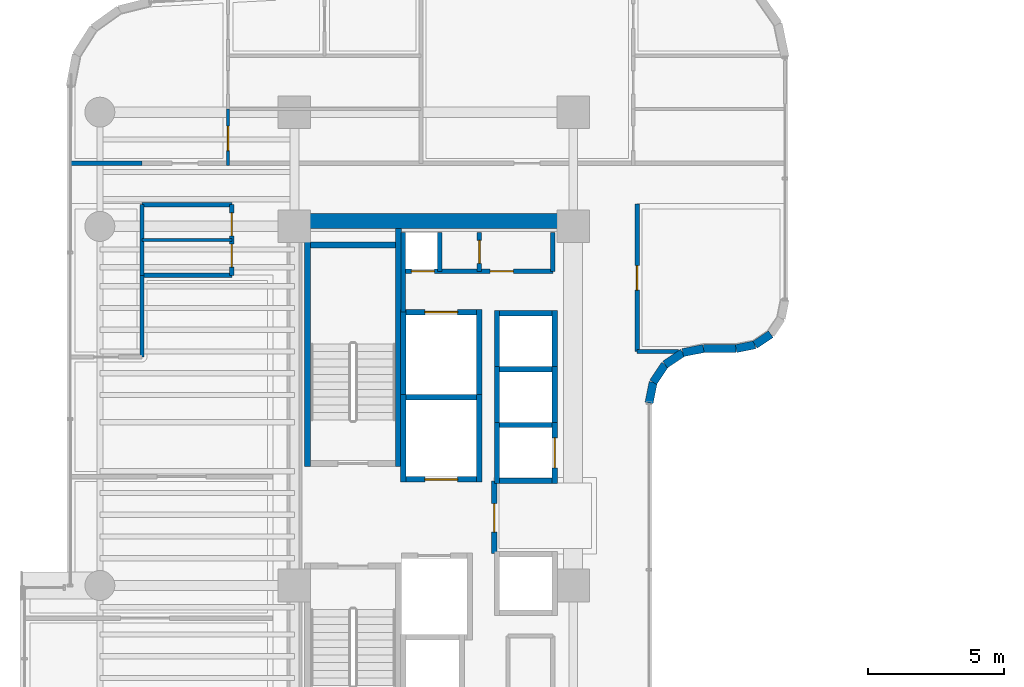
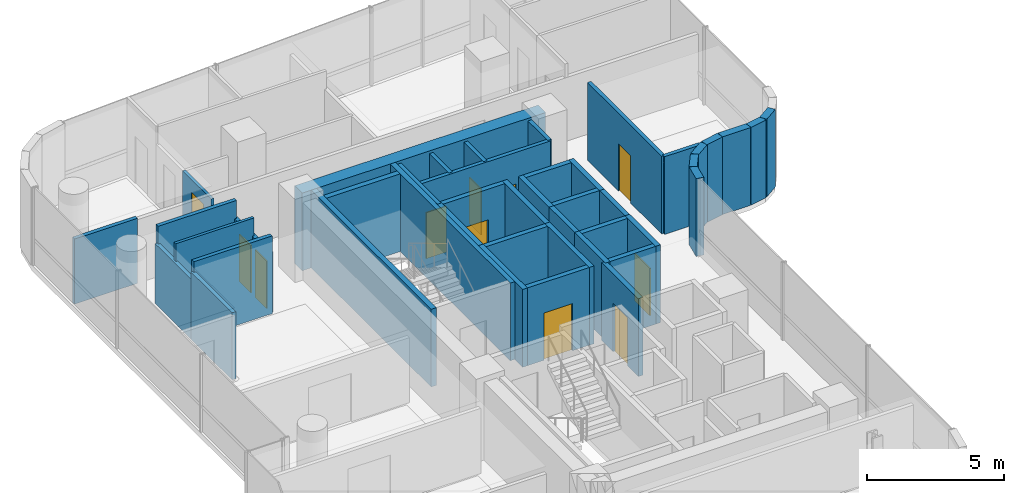
# One storey, part 27 of 34: 44 walls, 11 doors, 11 openings.
"""IFC4 building model written with IfcOpenShell, lengths in metres."""

from ifc_helpers import new_model, si_unit, direction, frame, frame_2d, origin, place, context, subcontext, project, spatial, rectangle, extrude, material, layer, layer_set, type_object, element, fill, save


model = new_model("IFC4")

# Units and contexts
model_context = context("Model", 3, precision=1e-05, world=origin(), true_north=direction((0.0, 1.0)))
body_context = subcontext(model_context, "Body", "Model", "MODEL_VIEW")
ifc_project = project(units=[si_unit("LENGTHUNIT", "METRE"), si_unit("AREAUNIT", "SQUARE_METRE"), si_unit("VOLUMEUNIT", "CUBIC_METRE"), si_unit("PLANEANGLEUNIT", "RADIAN"), si_unit("MASSUNIT", "GRAM", prefix="KILO")], contexts=[model_context])

# Site, building, storey
site_placement = place(None, origin())
site = spatial("IfcSite", under=ifc_project, at=site_placement, CompositionType="ELEMENT")
building_placement = place(site_placement, origin())
building = spatial("IfcBuilding", under=site, at=building_placement, Name="Valdorenza Pilgrim Sanctuary Tower", CompositionType="ELEMENT")
storey_placement = place(building_placement, frame((0.0, 0.0, 164.89990234375)))
storey = spatial("IfcBuildingStorey", under=building, at=storey_placement, Name="L42", CompositionType="ELEMENT", Elevation=164.89990234375)

# Wall
ifc_material_1 = material(Name="Acoustic twin-stud gypsum partition", Category="gypsum")
ifc_layer_1 = layer(ifc_material_1, 0.159912109375, Name="Acoustic twin-stud gypsum partition")
ifc_layer_set_1 = layer_set([ifc_layer_1], Name="Acoustic twin-stud gypsum partition")
wall_type_1 = type_object("IfcWallType", Name="WAL-COR-160", PredefinedType="PARTITIONING", material=ifc_layer_set_1)
wall_1_placement = place(storey_placement, frame((-18.64990234375, 7.449951171875, 0.0), z_axis=(0.0, 0.0, 1.0), x_axis=(0.0, 1.0, 0.0)))
element("IfcWall", 1, at=wall_1_placement, inside=storey, type_object=wall_type_1, Name="L42 Core A North Service West Wall", PredefinedType="PARTITIONING", context=body_context, shape_type="SweptSolid", body=[
    extrude(rectangle(XDim=2.929931640625, YDim=0.159912109375, at=frame_2d((1.46484375, 0.0))), origin(), (0.0, 0.0, 1.0), 3.460205078125),
])

# Wall, openings, doors
wall_2_placement = place(storey_placement, frame((-18.64990234375, 8.949951171875, 0.0), z_axis=(0.0, 0.0, 1.0), x_axis=(1.0, 0.0, 0.0)))
wall_2 = element("IfcWall", 2, at=wall_2_placement, inside=storey, type_object=wall_type_1, Name="L42 Core A North Service South Wall", PredefinedType="PARTITIONING", context=body_context, shape_type="SweptSolid", body=[
    extrude(rectangle(XDim=5.5, YDim=0.159912109375, at=frame_2d((2.75, 0.0))), origin(), (0.0, 0.0, 1.0), 3.460205078125),
])
opening_1_placement = place(wall_2_placement, frame((0.300048828125, 0.0, 0.0)))
opening_1 = element("IfcOpeningElement", 3, at=opening_1_placement, cuts=wall_2, Name="Opening DR-RS1", PredefinedType="OPENING", context=body_context, shape_type="SweptSolid", body=[
    extrude(rectangle(XDim=0.85009765625, YDim=2.050048828125, at=frame_2d((0.425048828125, 1.02490234375))), frame((0.0, 0.0947265625, 0.0), z_axis=(0.0, -1.0, 0.0), x_axis=(1.0, 0.0, 0.0)), (0.0, 0.0, 1.0), 0.189697265625),
])
opening_2_placement = place(wall_2_placement, frame((3.199951171875, 0.0, 0.0)))
opening_2 = element("IfcOpeningElement", 4, at=opening_2_placement, cuts=wall_2, Name="Opening DR-RS1", PredefinedType="OPENING", context=body_context, shape_type="SweptSolid", body=[
    extrude(rectangle(XDim=0.85009765625, YDim=2.050048828125, at=frame_2d((0.425048828125, 1.02490234375))), frame((0.0, 0.0947265625, 0.0), z_axis=(0.0, -1.0, 0.0), x_axis=(1.0, 0.0, 0.0)), (0.0, 0.0, 1.0), 0.189697265625),
])
ifc_material_2 = material(Name="Painted galvanized steel", Category="steel")
door_type_1 = type_object("IfcDoorType", Name="DR-RSR-850", OperationType="NOTDEFINED", PredefinedType="DOOR", material=ifc_material_2)
door_1_placement = place(opening_1_placement, origin())
door_1 = element("IfcDoor", 5, at=door_1_placement, inside=storey, type_object=door_type_1, Name="L42 Core Electrical and Telecom Riser Door", OperationType="SINGLE_SWING_LEFT", OverallHeight=2.050048828125, OverallWidth=0.85009765625, PredefinedType="DOOR", context=body_context, shape_type="SweptSolid", body=[
    extrude(rectangle(XDim=0.85009765625, YDim=2.050048828125, at=frame_2d((0.425048828125, 1.02490234375))), frame((0.0, 0.02490234375, 0.0), z_axis=(0.0, -1.0, 0.0), x_axis=(1.0, 0.0, 0.0)), (0.0, 0.0, 1.0), 0.050048828125),
])
fill(opening_1, door_1)
door_2_placement = place(opening_2_placement, origin())
door_2 = element("IfcDoor", 6, at=door_2_placement, inside=storey, type_object=door_type_1, Name="L42 Housekeeping and Clean Linen Room Door", OperationType="SINGLE_SWING_RIGHT", OverallHeight=2.050048828125, OverallWidth=0.85009765625, PredefinedType="DOOR", context=body_context, shape_type="SweptSolid", body=[
    extrude(rectangle(XDim=0.85009765625, YDim=2.050048828125, at=frame_2d((0.425048828125, 1.02490234375))), frame((0.0, 0.02490234375, 0.0), z_axis=(0.0, -1.0, 0.0), x_axis=(1.0, 0.0, 0.0)), (0.0, 0.0, 1.0), 0.050048828125),
])
fill(opening_2, door_2)

# Walls
for number, where, z_axis, x_axis, name in (
    (7, (-13.14990234375, 8.949951171875, 0.0), (0.0, 0.0, 1.0), (0.0, 1.0, 0.0), "L42 Core A North Service East Wall"),
    (8, (-17.300048828125, 8.949951171875, 0.0), (0.0, 0.0, 1.0), (0.0, 1.0, 0.0), "L42 Core Electrical Riser Wall"),
):
    element("IfcWall", number, at=place(storey_placement, frame(where, z_axis=z_axis, x_axis=x_axis)), inside=storey, type_object=wall_type_1, Name=name, PredefinedType="PARTITIONING", context=body_context, shape_type="SweptSolid", body=[
        extrude(rectangle(XDim=1.429931640625, YDim=0.159912109375, at=frame_2d((0.71484375, 0.0))), origin(), (0.0, 0.0, 1.0), 3.460205078125),
    ])

# Wall, opening, door
wall_3_placement = place(storey_placement, frame((-15.85009765625, 8.949951171875, 0.0), z_axis=(0.0, 0.0, 1.0), x_axis=(0.0, 1.0, 0.0)))
wall_3 = element("IfcWall", 9, at=wall_3_placement, inside=storey, type_object=wall_type_1, Name="L42 Core A Split C", PredefinedType="PARTITIONING", context=body_context, shape_type="SweptSolid", body=[
    extrude(rectangle(XDim=1.429931640625, YDim=0.159912109375, at=frame_2d((0.71484375, 0.0))), origin(), (0.0, 0.0, 1.0), 3.460205078125),
])
opening_3_placement = place(wall_3_placement, frame((0.2900390625, 0.0, 0.0)))
opening_3 = element("IfcOpeningElement", 10, at=opening_3_placement, cuts=wall_3, Name="Opening DR-RS1", PredefinedType="OPENING", context=body_context, shape_type="SweptSolid", body=[
    extrude(rectangle(XDim=0.85009765625, YDim=2.050048828125, at=frame_2d((0.425048828125, 1.02490234375))), frame((0.0, 0.0947265625, 0.0), z_axis=(0.0, -1.0, 0.0), x_axis=(1.0, 0.0, 0.0)), (0.0, 0.0, 1.0), 0.189697265625),
])
door_3_placement = place(opening_3_placement, origin())
door_3 = element("IfcDoor", 11, at=door_3_placement, inside=storey, type_object=door_type_1, Name="L42 Clean Linen Supply Store Door", OperationType="SINGLE_SWING_LEFT", OverallHeight=2.050048828125, OverallWidth=0.85009765625, PredefinedType="DOOR", context=body_context, shape_type="SweptSolid", body=[
    extrude(rectangle(XDim=0.85009765625, YDim=2.050048828125, at=frame_2d((0.425048828125, 1.02490234375))), frame((0.0, 0.02490234375, 0.0), z_axis=(0.0, -1.0, 0.0), x_axis=(1.0, 0.0, 0.0)), (0.0, 0.0, 1.0), 0.050048828125),
])
fill(opening_3, door_3)

# Wall
wall_4_placement = place(storey_placement, frame((-28.25, 8.800048828125, 0.0), z_axis=(0.0, 0.0, 1.0), x_axis=(0.0, 1.0, 0.0)))
element("IfcWall", 12, at=wall_4_placement, inside=storey, type_object=wall_type_1, Name="L42 Washroom West Wall", PredefinedType="PARTITIONING", context=body_context, shape_type="SweptSolid", body=[
    extrude(rectangle(XDim=2.599853515625, YDim=0.159912109375, at=frame_2d((1.2998046875, 0.0))), origin(), (0.0, 0.0, 1.0), 2.666015625),
])

# Wall, openings, doors
wall_5_placement = place(storey_placement, frame((-24.949951171875, 8.800048828125, 0.0), z_axis=(0.0, 0.0, 1.0), x_axis=(0.0, 1.0, 0.0)))
wall_5 = element("IfcWall", 13, at=wall_5_placement, inside=storey, type_object=wall_type_1, Name="L42 Washroom East Wall", PredefinedType="PARTITIONING", context=body_context, shape_type="SweptSolid", body=[
    extrude(rectangle(XDim=2.599853515625, YDim=0.159912109375, at=frame_2d((1.2998046875, 0.0))), origin(), (0.0, 0.0, 1.0), 2.666015625),
])
opening_4_placement = place(wall_5_placement, frame((0.300048828125, 0.0, 0.0)))
opening_4 = element("IfcOpeningElement", 14, at=opening_4_placement, cuts=wall_5, Name="Opening DR-WC1", PredefinedType="OPENING", context=body_context, shape_type="SweptSolid", body=[
    extrude(rectangle(XDim=0.85009765625, YDim=2.10009765625, at=frame_2d((0.425048828125, 1.050048828125))), frame((0.0, 0.0947265625, 0.0), z_axis=(0.0, -1.0, 0.0), x_axis=(1.0, 0.0, 0.0)), (0.0, 0.0, 1.0), 0.189697265625),
])
opening_5_placement = place(wall_5_placement, frame((1.449951171875, 0.0, 0.0)))
opening_5 = element("IfcOpeningElement", 15, at=opening_5_placement, cuts=wall_5, Name="Opening DR-WC1", PredefinedType="OPENING", context=body_context, shape_type="SweptSolid", body=[
    extrude(rectangle(XDim=0.85009765625, YDim=2.10009765625, at=frame_2d((0.425048828125, 1.050048828125))), frame((0.0, 0.0947265625, 0.0), z_axis=(0.0, -1.0, 0.0), x_axis=(1.0, 0.0, 0.0)), (0.0, 0.0, 1.0), 0.189697265625),
])
ifc_material_3 = material(Name="Moisture-resistant lacquered timber", Category="wood")
door_type_2 = type_object("IfcDoorType", Name="DR-BATH-850", OperationType="NOTDEFINED", PredefinedType="DOOR", material=ifc_material_3)
door_4_placement = place(opening_4_placement, origin())
door_4 = element("IfcDoor", 16, at=door_4_placement, inside=storey, type_object=door_type_2, Name="L42 Accessible Washroom Door", OperationType="SINGLE_SWING_LEFT", OverallHeight=2.10009765625, OverallWidth=0.85009765625, PredefinedType="DOOR", context=body_context, shape_type="SweptSolid", body=[
    extrude(rectangle(XDim=0.85009765625, YDim=2.10009765625, at=frame_2d((0.425048828125, 1.050048828125))), frame((0.0, 0.02490234375, 0.0), z_axis=(0.0, -1.0, 0.0), x_axis=(1.0, 0.0, 0.0)), (0.0, 0.0, 1.0), 0.050048828125),
])
fill(opening_4, door_4)
door_5_placement = place(opening_5_placement, origin())
door_5 = element("IfcDoor", 17, at=door_5_placement, inside=storey, type_object=door_type_2, Name="L42 Public Washroom Door", OperationType="SINGLE_SWING_RIGHT", OverallHeight=2.10009765625, OverallWidth=0.85009765625, PredefinedType="DOOR", context=body_context, shape_type="SweptSolid", body=[
    extrude(rectangle(XDim=0.85009765625, YDim=2.10009765625, at=frame_2d((0.425048828125, 1.050048828125))), frame((0.0, 0.02490234375, 0.0), z_axis=(0.0, -1.0, 0.0), x_axis=(1.0, 0.0, 0.0)), (0.0, 0.0, 1.0), 0.050048828125),
])
fill(opening_5, door_5)

# Walls
for number, where, z_axis, x_axis, name in (
    (18, (-28.25, 8.800048828125, 0.0), (0.0, 0.0, 1.0), (1.0, 0.0, 0.0), "L42 Washroom South Wall"),
    (19, (-28.25, 11.39990234375, 0.0), (0.0, 0.0, 1.0), (1.0, 0.0, 0.0), "L42 Washroom North Wall"),
):
    element("IfcWall", number, at=place(storey_placement, frame(where, z_axis=z_axis, x_axis=x_axis)), inside=storey, type_object=wall_type_1, Name=name, PredefinedType="PARTITIONING", context=body_context, shape_type="SweptSolid", body=[
        extrude(rectangle(XDim=3.300048828125, YDim=0.159912109375, at=frame_2d((1.64990234375, 0.0))), origin(), (0.0, 0.0, 1.0), 3.460205078125),
    ])
wall_6_placement = place(storey_placement, frame((-28.25, 5.800048828125, 0.0), z_axis=(0.0, 0.0, 1.0), x_axis=(0.0, 1.0, 0.0)))
element("IfcWall", 20, at=wall_6_placement, inside=storey, type_object=wall_type_1, Name="L42 Cloister NE Closure", PredefinedType="PARTITIONING", context=body_context, shape_type="SweptSolid", body=[
    extrude(rectangle(XDim=3.0, YDim=0.159912109375, at=frame_2d((1.5, 0.0))), origin(), (0.0, 0.0, 1.0), 2.988037109375),
])
wall_7_placement = place(storey_placement, frame((-30.889892578125, 12.919921875, 0.0), z_axis=(0.0, 0.0, 1.0), x_axis=(1.0, 0.0, 0.0)))
element("IfcWall", 21, at=wall_7_placement, inside=storey, type_object=wall_type_1, Name="L42 Cloister North Solid Partition", PredefinedType="PARTITIONING", context=body_context, shape_type="SweptSolid", body=[
    extrude(rectangle(XDim=2.639892578125, YDim=0.159912109375, at=frame_2d((1.31982421875, 0.0))), origin(), (0.0, 0.0, 1.0), 2.89599609375),
])

# Wall, opening, door
wall_8_placement = place(storey_placement, frame((-10.050048828125, 6.0, 0.0), z_axis=(0.0, 0.0, 1.0), x_axis=(0.0, 1.0, 0.0)))
wall_8 = element("IfcWall", 22, at=wall_8_placement, inside=storey, type_object=wall_type_1, Name="L42 East Stub Corridor Wall", PredefinedType="PARTITIONING", context=body_context, shape_type="SweptSolid", body=[
    extrude(rectangle(XDim=5.419921875, YDim=0.159912109375, at=frame_2d((2.7099609375, 0.0))), origin(), (0.0, 0.0, 1.0), 3.460205078125),
])
opening_6_placement = place(wall_8_placement, frame((2.260009765625, 0.0, 0.0)))
opening_6 = element("IfcOpeningElement", 23, at=opening_6_placement, cuts=wall_8, Name="Opening DR-RM1", PredefinedType="OPENING", context=body_context, shape_type="SweptSolid", body=[
    extrude(rectangle(XDim=0.89990234375, YDim=2.10009765625, at=frame_2d((0.449951171875, 1.050048828125))), frame((0.0, 0.0947265625, 0.0), z_axis=(0.0, -1.0, 0.0), x_axis=(1.0, 0.0, 0.0)), (0.0, 0.0, 1.0), 0.189697265625),
])
ifc_material_4 = material(Name="Solid-core European oak timber", Category="wood")
door_type_3 = type_object("IfcDoorType", Name="DR-ROOM-900", OperationType="NOTDEFINED", PredefinedType="DOOR", material=ifc_material_4)
door_6_placement = place(opening_6_placement, origin())
door_6 = element("IfcDoor", 24, at=door_6_placement, inside=storey, type_object=door_type_3, Name="L42 Sacred Art Exhibition Gallery L42-E1 Door", OperationType="SINGLE_SWING_RIGHT", OverallHeight=2.10009765625, OverallWidth=0.89990234375, PredefinedType="DOOR", context=body_context, shape_type="SweptSolid", body=[
    extrude(rectangle(XDim=0.89990234375, YDim=2.10009765625, at=frame_2d((0.449951171875, 1.050048828125))), frame((0.0, 0.02490234375, 0.0), z_axis=(0.0, -1.0, 0.0), x_axis=(1.0, 0.0, 0.0)), (0.0, 0.0, 1.0), 0.050048828125),
])
fill(opening_6, door_6)

# Walls
wall_9_placement = place(storey_placement, frame((-10.050048828125, 6.0, 0.0), z_axis=(0.0, 0.0, 1.0), x_axis=(1.0, 0.0, 0.0)))
element("IfcWall", 25, at=wall_9_placement, inside=storey, type_object=wall_type_1, Name="L42 East Stub South Wall", PredefinedType="PARTITIONING", context=body_context, shape_type="SweptSolid", body=[
    extrude(rectangle(XDim=1.516357421875, YDim=0.159912109375, at=frame_2d((0.75830078125, 0.0))), origin(), (0.0, 0.0, 1.0), 3.460205078125),
])
ifc_material_5 = material(Name="Concrete C50/60", Category="concrete")
ifc_layer_2 = layer(ifc_material_5, 0.550048828125, Name="Concrete C50/60")
ifc_layer_set_2 = layer_set([ifc_layer_2], Name="Concrete C50/60")
wall_type_2 = type_object("IfcWallType", Name="WAL-COR-550", PredefinedType="SHEAR", material=ifc_layer_set_2)
wall_10_placement = place(storey_placement, frame((-22.64990234375, 10.800048828125, 0.0), z_axis=(0.0, 0.0, 1.0), x_axis=(1.0, 0.0, 0.0)))
element("IfcWall", 26, at=wall_10_placement, inside=storey, type_object=wall_type_2, Name="L42 Split Core A Shear Wall N", PredefinedType="SHEAR", context=body_context, shape_type="SweptSolid", body=[
    extrude(rectangle(XDim=10.25, YDim=0.550048828125, at=frame_2d((5.125, 0.0))), origin(), (0.0, 0.0, 1.0), 3.460205078125),
])
ifc_material_6 = material(Name="Honed travertine limestone", Category="masonry")
ifc_layer_3 = layer(ifc_material_6, 0.300048828125, Name="Honed travertine limestone")
ifc_layer_set_3 = layer_set([ifc_layer_3], Name="Honed travertine limestone")
wall_type_3 = type_object("IfcWallType", Name="WAL-EXT-300", PredefinedType="SOLIDWALL", material=ifc_layer_set_3)
wall_11_placement = place(storey_placement, frame((-5.1357421875, 6.6357421875, 0.0), z_axis=(0.0, 0.0, 1.0), x_axis=(-0.831565381614, -0.555426877366, 0.0)))
element("IfcWall", 27, at=wall_11_placement, inside=storey, type_object=wall_type_3, Name="L42 Rounded Wind-Corner Stone Pier 14", PredefinedType="SOLIDWALL", context=body_context, shape_type="SweptSolid", body=[
    extrude(rectangle(XDim=0.697509765625, YDim=0.300048828125, at=frame_2d((0.3486328125, 0.0))), origin(), (0.0, 0.0, 1.0), 3.460205078125),
])
wall_12_placement = place(storey_placement, frame((-5.7158203125, 6.248291015625, 0.0), z_axis=(0.0, 0.0, 1.0), x_axis=(-0.980805282058, -0.194989739953, 0.0)))
element("IfcWall", 28, at=wall_12_placement, inside=storey, type_object=wall_type_3, Name="L42 Rounded Wind-Corner Stone Pier 15", PredefinedType="SOLIDWALL", context=body_context, shape_type="SweptSolid", body=[
    extrude(rectangle(XDim=0.708740234375, YDim=0.300048828125, at=frame_2d((0.3544921875, 0.0))), origin(), (0.0, 0.0, 1.0), 3.460205078125),
])
wall_13_placement = place(storey_placement, frame((-6.410888671875, 6.110107421875, 0.0), z_axis=(0.0, 0.0, 1.0), x_axis=(-1.0, 0.0, 0.0)))
element("IfcWall", 29, at=wall_13_placement, inside=storey, type_object=wall_type_3, Name="L42 Rounded Wind-Corner Stone Pier 16", PredefinedType="SOLIDWALL", context=body_context, shape_type="SweptSolid", body=[
    extrude(rectangle(XDim=1.199951171875, YDim=0.300048828125, at=frame_2d((0.60009765625, 0.0))), origin(), (0.0, 0.0, 1.0), 3.460205078125),
])
wall_14_placement = place(storey_placement, frame((-7.61083984375, 6.110107421875, 0.0), z_axis=(0.0, 0.0, 1.0), x_axis=(-0.98076219082, -0.195206365311, 0.0)))
element("IfcWall", 30, at=wall_14_placement, inside=storey, type_object=wall_type_3, Name="L42 Rounded Wind-Corner Stone Pier 17", PredefinedType="SOLIDWALL", context=body_context, shape_type="SweptSolid", body=[
    extrude(rectangle(XDim=0.774169921875, YDim=0.300048828125, at=frame_2d((0.38720703125, 0.0))), origin(), (0.0, 0.0, 1.0), 3.460205078125),
])
for number, where, z_axis, x_axis, name in (
    (31, (-8.3701171875, 5.958984375, 0.0), (0.0, 0.0, 1.0), (-0.831331880615, -0.555776307766, 0.0), "L42 Rounded Wind-Corner Stone Pier 18"),
    (32, (-9.022705078125, 5.522705078125, 0.0), (0.0, 0.0, 1.0), (-0.555776307766, -0.831331880615, 0.0), "L42 Rounded Wind-Corner Stone Pier 19"),
):
    element("IfcWall", number, at=place(storey_placement, frame(where, z_axis=z_axis, x_axis=x_axis)), inside=storey, type_object=wall_type_3, Name=name, PredefinedType="SOLIDWALL", context=body_context, shape_type="SweptSolid", body=[
        extrude(rectangle(XDim=0.784912109375, YDim=0.300048828125, at=frame_2d((0.392578125, 0.0))), origin(), (0.0, 0.0, 1.0), 3.460205078125),
    ])
wall_15_placement = place(storey_placement, frame((-9.458984375, 4.8701171875, 0.0), z_axis=(0.0, 0.0, 1.0), x_axis=(-0.195206365311, -0.98076219082, 0.0)))
element("IfcWall", 33, at=wall_15_placement, inside=storey, type_object=wall_type_3, Name="L42 Rounded Wind-Corner Stone Pier 20", PredefinedType="SOLIDWALL", context=body_context, shape_type="SweptSolid", body=[
    extrude(rectangle(XDim=0.774169921875, YDim=0.300048828125, at=frame_2d((0.38720703125, 0.0))), origin(), (0.0, 0.0, 1.0), 3.460205078125),
])

# Wall, opening, door
ifc_material_7 = material(Name="Gypsum shaftwall partition", Category="gypsum")
ifc_layer_4 = layer(ifc_material_7, 0.199951171875, Name="Gypsum shaftwall partition")
ifc_layer_set_4 = layer_set([ifc_layer_4], Name="Gypsum shaftwall partition")
wall_type_4 = type_object("IfcWallType", Name="WAL-FFL-200", PredefinedType="PARTITIONING", material=ifc_layer_set_4)
wall_16_placement = place(storey_placement, frame((-15.300048828125, -1.419921875, 0.0), z_axis=(0.0, 0.0, 1.0), x_axis=(0.0, 1.0, 0.0)))
wall_16 = element("IfcWall", 34, at=wall_16_placement, inside=storey, type_object=wall_type_4, Name="L42 Core A Firefighting Lobby East Wall", PredefinedType="PARTITIONING", context=body_context, shape_type="SweptSolid", body=[
    extrude(rectangle(XDim=2.669921875, YDim=0.199951171875, at=frame_2d((1.3349609375, 0.0))), origin(), (0.0, 0.0, 1.0), 3.460205078125),
])
opening_7_placement = place(wall_16_placement, frame((0.780029296875, 0.0, 0.0)))
opening_7 = element("IfcOpeningElement", 35, at=opening_7_placement, cuts=wall_16, Name="Opening DR-FL1", PredefinedType="OPENING", context=body_context, shape_type="SweptSolid", body=[
    extrude(rectangle(XDim=1.050048828125, YDim=2.14990234375, at=frame_2d((0.52490234375, 1.074951171875))), frame((0.0, 0.11474609375, 0.0), z_axis=(0.0, -1.0, 0.0), x_axis=(1.0, 0.0, 0.0)), (0.0, 0.0, 1.0), 0.229736328125),
])
door_type_4 = type_object("IfcDoorType", Name="DR-FFL-1050", OperationType="NOTDEFINED", PredefinedType="DOOR", material=ifc_material_2)
door_7_placement = place(opening_7_placement, origin())
door_7 = element("IfcDoor", 36, at=door_7_placement, inside=storey, type_object=door_type_4, Name="L42 Core A Firefighting Lobby Door", OperationType="SINGLE_SWING_RIGHT", OverallHeight=2.14990234375, OverallWidth=1.050048828125, PredefinedType="DOOR", context=body_context, shape_type="SweptSolid", body=[
    extrude(rectangle(XDim=1.050048828125, YDim=2.14990234375, at=frame_2d((0.52490234375, 1.074951171875))), frame((0.0, 0.02490234375, 0.0), z_axis=(0.0, -1.0, 0.0), x_axis=(1.0, 0.0, 0.0)), (0.0, 0.0, 1.0), 0.050048828125),
])
fill(opening_7, door_7)

# Wall
ifc_material_8 = material(Name="Moisture-resistant gypsum partition", Category="gypsum")
ifc_layer_5 = layer(ifc_material_8, 0.1201171875, Name="Moisture-resistant gypsum partition")
ifc_layer_set_5 = layer_set([ifc_layer_5], Name="Moisture-resistant gypsum partition")
wall_type_5 = type_object("IfcWallType", Name="WAL-INT-120", PredefinedType="PARTITIONING", material=ifc_layer_set_5)
wall_17_placement = place(storey_placement, frame((-28.25, 10.10009765625, 0.0), z_axis=(0.0, 0.0, 1.0), x_axis=(1.0, 0.0, 0.0)))
element("IfcWall", 37, at=wall_17_placement, inside=storey, type_object=wall_type_5, Name="L42 Washroom Divider Wall", PredefinedType="PARTITIONING", context=body_context, shape_type="SweptSolid", body=[
    extrude(rectangle(XDim=3.300048828125, YDim=0.1201171875, at=frame_2d((1.64990234375, 0.0))), origin(), (0.0, 0.0, 1.0), 3.460205078125),
])

# Wall, opening, door
wall_18_placement = place(storey_placement, frame((-25.0849609375, 12.840087890625, 0.0), z_axis=(0.0, 0.0, 1.0), x_axis=(0.0, 1.0, 0.0)))
wall_18 = element("IfcWall", 38, at=wall_18_placement, inside=storey, type_object=wall_type_5, Name="L42 North Family Flat L42-N1 Kitchen Door Wall", PredefinedType="PARTITIONING", context=body_context, shape_type="SweptSolid", body=[
    extrude(rectangle(XDim=2.079833984375, YDim=0.1201171875, at=frame_2d((1.0400390625, 0.0))), origin(), (0.0, 0.0, 1.0), 2.666015625),
])
opening_8_placement = place(wall_18_placement, frame((0.550048828125, 0.0, 0.0)))
opening_8 = element("IfcOpeningElement", 39, at=opening_8_placement, cuts=wall_18, Name="Opening DR-RM1", PredefinedType="OPENING", context=body_context, shape_type="SweptSolid", body=[
    extrude(rectangle(XDim=0.89990234375, YDim=2.10009765625, at=frame_2d((0.449951171875, 1.050048828125))), frame((0.0, 0.074951171875, 0.0), z_axis=(0.0, -1.0, 0.0), x_axis=(1.0, 0.0, 0.0)), (0.0, 0.0, 1.0), 0.14990234375),
])
door_8_placement = place(opening_8_placement, origin())
door_8 = element("IfcDoor", 40, at=door_8_placement, inside=storey, type_object=door_type_3, Name="L42 North Family Flat L42-N1 Kitchen Door", OperationType="SINGLE_SWING_LEFT", OverallHeight=2.10009765625, OverallWidth=0.89990234375, PredefinedType="DOOR", context=body_context, shape_type="SweptSolid", body=[
    extrude(rectangle(XDim=0.89990234375, YDim=2.10009765625, at=frame_2d((0.449951171875, 1.050048828125))), frame((0.0, 0.02490234375, 0.0), z_axis=(0.0, -1.0, 0.0), x_axis=(1.0, 0.0, 0.0)), (0.0, 0.0, 1.0), 0.050048828125),
])
fill(opening_8, door_8)

# Walls
ifc_material_9 = material(Name="Autoclaved aerated concrete blockwork", Category="masonry")
ifc_layer_6 = layer(ifc_material_9, 0.199951171875, Name="Autoclaved aerated concrete blockwork")
ifc_layer_set_6 = layer_set([ifc_layer_6], Name="Autoclaved aerated concrete blockwork")
wall_type_6 = type_object("IfcWallType", Name="WAL-SHF-200", PredefinedType="MOVABLE", material=ifc_layer_set_6)
for number, where, z_axis, x_axis, name in (
    (41, (-18.64990234375, 1.199951171875, 0.0), (0.0, 0.0, 1.0), (0.0, 1.0, 0.0), "L42 Lift FFL-01 Hoistway Wall West"),
    (42, (-15.85009765625, 1.199951171875, 0.0), (0.0, 0.0, 1.0), (0.0, 1.0, 0.0), "L42 Lift FFL-01 Hoistway Wall East"),
):
    element("IfcWall", number, at=place(storey_placement, frame(where, z_axis=z_axis, x_axis=x_axis)), inside=storey, type_object=wall_type_6, Name=name, PredefinedType="MOVABLE", context=body_context, shape_type="SweptSolid", body=[
        extrude(rectangle(XDim=3.22509765625, YDim=0.199951171875, at=frame_2d((1.612548828125, 0.0))), origin(), (0.0, 0.0, 1.0), 3.460205078125),
    ])

# Wall, opening, door
wall_19_placement = place(storey_placement, frame((-18.550048828125, 1.300048828125, 0.0), z_axis=(0.0, 0.0, 1.0), x_axis=(1.0, 0.0, 0.0)))
wall_19 = element("IfcWall", 43, at=wall_19_placement, inside=storey, type_object=wall_type_6, Name="L42 Lift FFL-01 Hoistway Wall South", PredefinedType="MOVABLE", context=body_context, shape_type="SweptSolid", body=[
    extrude(rectangle(XDim=2.60009765625, YDim=0.199951171875, at=frame_2d((1.300048828125, 0.0))), origin(), (0.0, 0.0, 1.0), 3.460205078125),
])
opening_9_placement = place(wall_19_placement, frame((0.699951171875, 0.0, 0.0)))
opening_9 = element("IfcOpeningElement", 44, at=opening_9_placement, cuts=wall_19, Name="Opening LD-02", PredefinedType="OPENING", context=body_context, shape_type="SweptSolid", body=[
    extrude(rectangle(XDim=1.199951171875, YDim=2.10009765625, at=frame_2d((0.60009765625, 1.050048828125))), frame((0.0, 0.11474609375, 0.0), z_axis=(0.0, -1.0, 0.0), x_axis=(1.0, 0.0, 0.0)), (0.0, 0.0, 1.0), 0.229736328125),
])
ifc_material_10 = material(Name="Brushed stainless steel Grade 316", Category="steel")
door_type_5 = type_object("IfcDoorType", Name="DR-LFT-1200", OperationType="DOUBLE_DOOR_SLIDING", PredefinedType="DOOR", material=ifc_material_10)
door_9_placement = place(opening_9_placement, origin())
door_9 = element("IfcDoor", 45, at=door_9_placement, inside=storey, type_object=door_type_5, Name="L42 Lift FFL-01 Sliding Landing Door", OperationType="DOUBLE_DOOR_SLIDING", OverallHeight=2.10009765625, OverallWidth=1.199951171875, PredefinedType="DOOR", context=body_context, shape_type="SweptSolid", body=[
    extrude(rectangle(XDim=1.199951171875, YDim=2.10009765625, at=frame_2d((0.60009765625, 1.050048828125))), frame((0.0, 0.02490234375, 0.0), z_axis=(0.0, -1.0, 0.0), x_axis=(1.0, 0.0, 0.0)), (0.0, 0.0, 1.0), 0.050048828125),
])
fill(opening_9, door_9)

# Walls
wall_20_placement = place(storey_placement, frame((-18.550048828125, 4.324951171875, 0.0), z_axis=(0.0, 0.0, 1.0), x_axis=(1.0, 0.0, 0.0)))
element("IfcWall", 46, at=wall_20_placement, inside=storey, type_object=wall_type_6, Name="L42 Lift FFL-01 Hoistway Wall North", PredefinedType="MOVABLE", context=body_context, shape_type="SweptSolid", body=[
    extrude(rectangle(XDim=2.60009765625, YDim=0.199951171875, at=frame_2d((1.300048828125, 0.0))), origin(), (0.0, 0.0, 1.0), 3.460205078125),
])
for number, where, z_axis, x_axis, name in (
    (47, (-18.64990234375, 4.22509765625, 0.0), (0.0, 0.0, 1.0), (0.0, 1.0, 0.0), "L42 Lift SVL-01 Hoistway Wall West"),
    (48, (-15.85009765625, 4.22509765625, 0.0), (0.0, 0.0, 1.0), (0.0, 1.0, 0.0), "L42 Lift SVL-01 Hoistway Wall East"),
):
    element("IfcWall", number, at=place(storey_placement, frame(where, z_axis=z_axis, x_axis=x_axis)), inside=storey, type_object=wall_type_6, Name=name, PredefinedType="MOVABLE", context=body_context, shape_type="SweptSolid", body=[
        extrude(rectangle(XDim=3.324951171875, YDim=0.199951171875, at=frame_2d((1.66259765625, 0.0))), origin(), (0.0, 0.0, 1.0), 3.460205078125),
    ])

# Wall, opening, door
wall_21_placement = place(storey_placement, frame((-18.550048828125, 7.449951171875, 0.0), z_axis=(0.0, 0.0, 1.0), x_axis=(1.0, 0.0, 0.0)))
wall_21 = element("IfcWall", 49, at=wall_21_placement, inside=storey, type_object=wall_type_6, Name="L42 Lift SVL-01 Hoistway Wall North", PredefinedType="MOVABLE", context=body_context, shape_type="SweptSolid", body=[
    extrude(rectangle(XDim=2.60009765625, YDim=0.199951171875, at=frame_2d((1.300048828125, 0.0))), origin(), (0.0, 0.0, 1.0), 3.460205078125),
])
opening_10_placement = place(wall_21_placement, frame((0.699951171875, 0.0, 0.0)))
opening_10 = element("IfcOpeningElement", 50, at=opening_10_placement, cuts=wall_21, Name="Opening LD-02", PredefinedType="OPENING", context=body_context, shape_type="SweptSolid", body=[
    extrude(rectangle(XDim=1.199951171875, YDim=2.10009765625, at=frame_2d((0.60009765625, 1.050048828125))), frame((0.0, 0.11474609375, 0.0), z_axis=(0.0, -1.0, 0.0), x_axis=(1.0, 0.0, 0.0)), (0.0, 0.0, 1.0), 0.229736328125),
])
door_10_placement = place(opening_10_placement, origin())
door_10 = element("IfcDoor", 51, at=door_10_placement, inside=storey, type_object=door_type_5, Name="L42 Lift SVL-01 Sliding Landing Door", OperationType="DOUBLE_DOOR_SLIDING", OverallHeight=2.10009765625, OverallWidth=1.199951171875, PredefinedType="DOOR", context=body_context, shape_type="SweptSolid", body=[
    extrude(rectangle(XDim=1.199951171875, YDim=2.10009765625, at=frame_2d((0.60009765625, 1.050048828125))), frame((0.0, 0.02490234375, 0.0), z_axis=(0.0, -1.0, 0.0), x_axis=(1.0, 0.0, 0.0)), (0.0, 0.0, 1.0), 0.050048828125),
])
fill(opening_10, door_10)

# Wall
wall_22_placement = place(storey_placement, frame((-15.199951171875, 1.14990234375, 0.0), z_axis=(0.0, 0.0, 1.0), x_axis=(0.0, 1.0, 0.0)))
element("IfcWall", 52, at=wall_22_placement, inside=storey, type_object=wall_type_6, Name="L42 Lift PL-06 Hoistway Wall West", PredefinedType="MOVABLE", context=body_context, shape_type="SweptSolid", body=[
    extrude(rectangle(XDim=2.25, YDim=0.199951171875, at=frame_2d((1.125, 0.0))), origin(), (0.0, 0.0, 1.0), 3.460205078125),
])

# Wall, opening, door
wall_23_placement = place(storey_placement, frame((-13.080078125, 1.14990234375, 0.0), z_axis=(0.0, 0.0, 1.0), x_axis=(0.0, 1.0, 0.0)))
wall_23 = element("IfcWall", 53, at=wall_23_placement, inside=storey, type_object=wall_type_6, Name="L42 Lift PL-06 Hoistway Wall East", PredefinedType="MOVABLE", context=body_context, shape_type="SweptSolid", body=[
    extrude(rectangle(XDim=2.25, YDim=0.199951171875, at=frame_2d((1.125, 0.0))), origin(), (0.0, 0.0, 1.0), 3.460205078125),
])
opening_11_placement = place(wall_23_placement, frame((0.574951171875, 0.0, 0.0)))
opening_11 = element("IfcOpeningElement", 54, at=opening_11_placement, cuts=wall_23, Name="Opening LD-01", PredefinedType="OPENING", context=body_context, shape_type="SweptSolid", body=[
    extrude(rectangle(XDim=1.10009765625, YDim=2.10009765625, at=frame_2d((0.550048828125, 1.050048828125))), frame((0.0, 0.11474609375, 0.0), z_axis=(0.0, -1.0, 0.0), x_axis=(1.0, 0.0, 0.0)), (0.0, 0.0, 1.0), 0.229736328125),
])
door_type_6 = type_object("IfcDoorType", Name="DR-LFT-1100", OperationType="DOUBLE_DOOR_SLIDING", PredefinedType="DOOR", material=ifc_material_10)
door_11_placement = place(opening_11_placement, origin())
door_11 = element("IfcDoor", 55, at=door_11_placement, inside=storey, type_object=door_type_6, Name="L42 Lift PL-06 Sliding Landing Door", OperationType="DOUBLE_DOOR_SLIDING", OverallHeight=2.10009765625, OverallWidth=1.10009765625, PredefinedType="DOOR", context=body_context, shape_type="SweptSolid", body=[
    extrude(rectangle(XDim=1.10009765625, YDim=2.10009765625, at=frame_2d((0.550048828125, 1.050048828125))), frame((0.0, 0.02490234375, 0.0), z_axis=(0.0, -1.0, 0.0), x_axis=(1.0, 0.0, 0.0)), (0.0, 0.0, 1.0), 0.050048828125),
])
fill(opening_11, door_11)

# Walls
wall_24_placement = place(storey_placement, frame((-15.10009765625, 1.25, 0.0), z_axis=(0.0, 0.0, 1.0), x_axis=(1.0, 0.0, 0.0)))
element("IfcWall", 56, at=wall_24_placement, inside=storey, type_object=wall_type_6, Name="L42 Lift PL-06 Hoistway Wall South", PredefinedType="MOVABLE", context=body_context, shape_type="SweptSolid", body=[
    extrude(rectangle(XDim=1.920166015625, YDim=0.199951171875, at=frame_2d((0.9599609375, 0.0))), origin(), (0.0, 0.0, 1.0), 3.460205078125),
])
for number, where, z_axis, x_axis, name in (
    (57, (-15.199951171875, 3.199951171875, 0.0), (0.0, 0.0, 1.0), (0.0, 1.0, 0.0), "L42 Lift PL-09 Hoistway Wall West"),
    (58, (-13.080078125, 3.199951171875, 0.0), (0.0, 0.0, 1.0), (0.0, 1.0, 0.0), "L42 Lift PL-09 Hoistway Wall East"),
):
    element("IfcWall", number, at=place(storey_placement, frame(where, z_axis=z_axis, x_axis=x_axis)), inside=storey, type_object=wall_type_6, Name=name, PredefinedType="MOVABLE", context=body_context, shape_type="SweptSolid", body=[
        extrude(rectangle(XDim=2.25, YDim=0.199951171875, at=frame_2d((1.125, 0.0))), origin(), (0.0, 0.0, 1.0), 3.460205078125),
    ])
for number, where, z_axis, x_axis, name in (
    (59, (-15.10009765625, 3.300048828125, 0.0), (0.0, 0.0, 1.0), (1.0, 0.0, 0.0), "L42 Lift PL-09 Hoistway Wall South"),
    (60, (-15.10009765625, 5.35009765625, 0.0), (0.0, 0.0, 1.0), (1.0, 0.0, 0.0), "L42 Lift PL-09 Hoistway Wall North"),
):
    element("IfcWall", number, at=place(storey_placement, frame(where, z_axis=z_axis, x_axis=x_axis)), inside=storey, type_object=wall_type_6, Name=name, PredefinedType="MOVABLE", context=body_context, shape_type="SweptSolid", body=[
        extrude(rectangle(XDim=1.920166015625, YDim=0.199951171875, at=frame_2d((0.9599609375, 0.0))), origin(), (0.0, 0.0, 1.0), 3.460205078125),
    ])
for number, where, z_axis, x_axis, name in (
    (61, (-15.199951171875, 5.25, 0.0), (0.0, 0.0, 1.0), (0.0, 1.0, 0.0), "L42 Lift PL-10 Hoistway Wall West"),
    (62, (-13.080078125, 5.25, 0.0), (0.0, 0.0, 1.0), (0.0, 1.0, 0.0), "L42 Lift PL-10 Hoistway Wall East"),
):
    element("IfcWall", number, at=place(storey_placement, frame(where, z_axis=z_axis, x_axis=x_axis)), inside=storey, type_object=wall_type_6, Name=name, PredefinedType="MOVABLE", context=body_context, shape_type="SweptSolid", body=[
        extrude(rectangle(XDim=2.25, YDim=0.199951171875, at=frame_2d((1.125, 0.0))), origin(), (0.0, 0.0, 1.0), 3.460205078125),
    ])
wall_25_placement = place(storey_placement, frame((-15.10009765625, 7.39990234375, 0.0), z_axis=(0.0, 0.0, 1.0), x_axis=(1.0, 0.0, 0.0)))
element("IfcWall", 63, at=wall_25_placement, inside=storey, type_object=wall_type_6, Name="L42 Lift PL-10 Hoistway Wall North", PredefinedType="MOVABLE", context=body_context, shape_type="SweptSolid", body=[
    extrude(rectangle(XDim=1.920166015625, YDim=0.199951171875, at=frame_2d((0.9599609375, 0.0))), origin(), (0.0, 0.0, 1.0), 3.460205078125),
])
ifc_material_11 = material(Name="Concrete C40/50", Category="concrete")
ifc_layer_7 = layer(ifc_material_11, 0.219970703125, Name="Concrete C40/50")
ifc_layer_set_7 = layer_set([ifc_layer_7], Name="Concrete C40/50")
wall_type_7 = type_object("IfcWallType", Name="WAL-STR-SHF-220", PredefinedType="SHEAR", material=ifc_layer_set_7)
for number, where, z_axis, x_axis, name in (
    (64, (-22.159912109375, 1.780029296875, 0.0), (0.0, 0.0, 1.0), (0.0, 1.0, 0.0), "L42 ST-A1 Structural Stairwell Wall W"),
    (65, (-18.830078125, 1.780029296875, 0.0), (0.0, 0.0, 1.0), (0.0, 1.0, 0.0), "L42 ST-A1 Structural Stairwell Wall E"),
):
    element("IfcWall", number, at=place(storey_placement, frame(where, z_axis=z_axis, x_axis=x_axis)), inside=storey, type_object=wall_type_7, Name=name, PredefinedType="SHEAR", context=body_context, shape_type="SweptSolid", body=[
        extrude(rectangle(XDim=8.744873046875, YDim=0.219970703125, at=frame_2d((4.37255859375, 0.0))), origin(), (0.0, 0.0, 1.0), 3.460205078125),
    ])
wall_26_placement = place(storey_placement, frame((-22.050048828125, 9.909912109375, 0.0), z_axis=(0.0, 0.0, 1.0), x_axis=(1.0, 0.0, 0.0)))
element("IfcWall", 66, at=wall_26_placement, inside=storey, type_object=wall_type_7, Name="L42 ST-A1 Structural Stairwell Wall N", PredefinedType="SHEAR", context=body_context, shape_type="SweptSolid", body=[
    extrude(rectangle(XDim=3.110107421875, YDim=0.219970703125, at=frame_2d((1.55517578125, 0.0))), origin(), (0.0, 0.0, 1.0), 3.460205078125),
])

save(model, "model.ifc")
